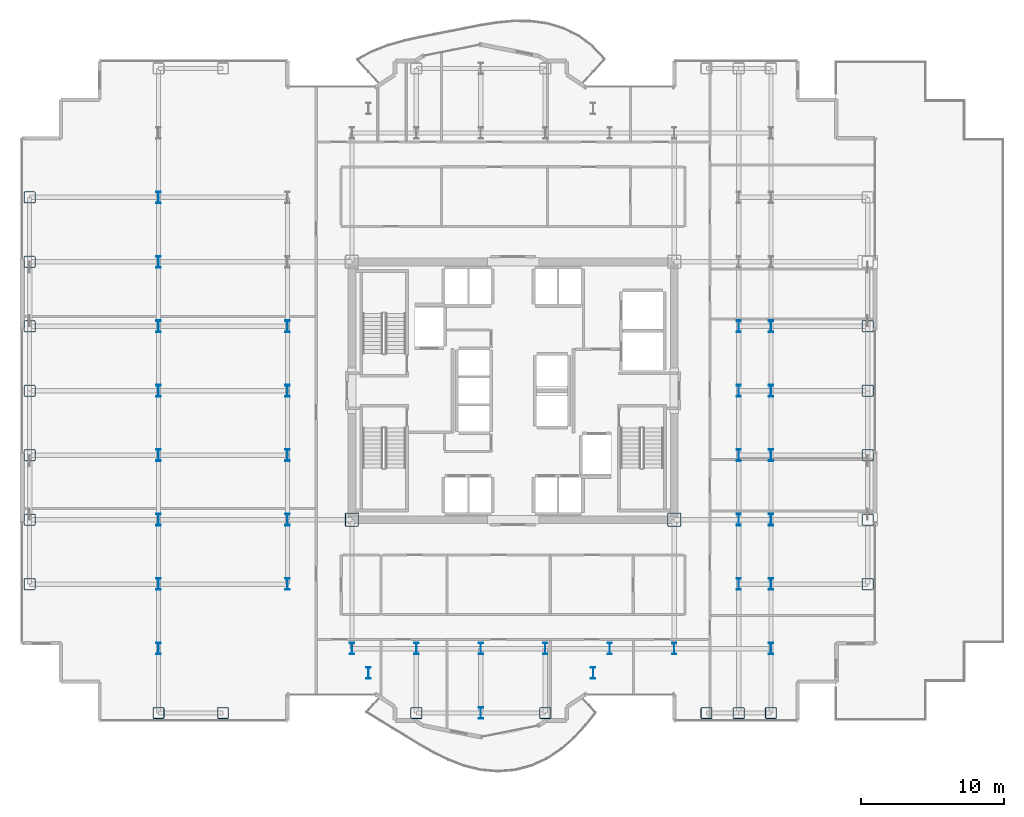
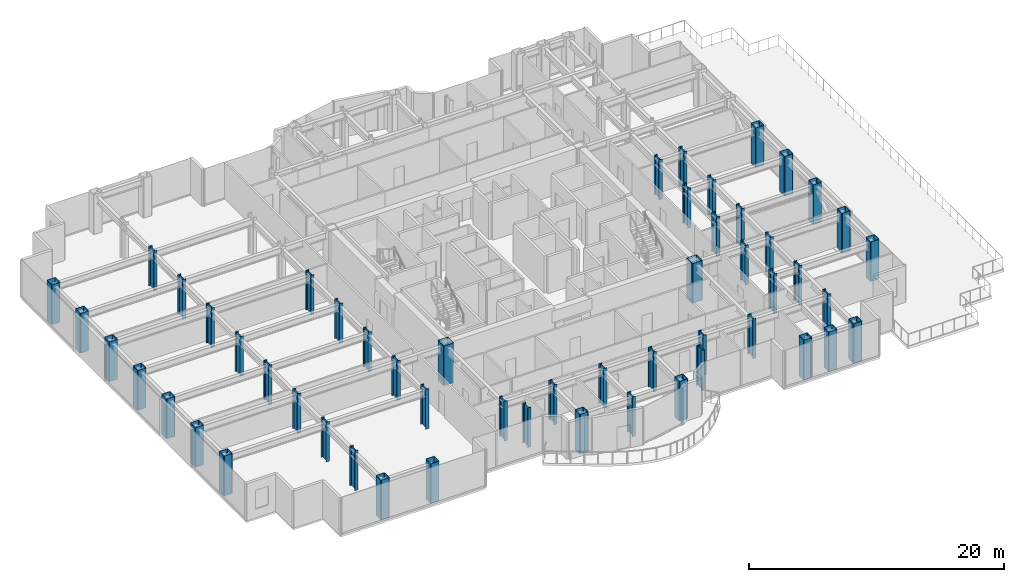
# One storey, part 1 of 27: 54 columns.
"""IFC4 building model written with IfcOpenShell, lengths in metres."""

from ifc_helpers import new_model, si_unit, direction, frame, origin, origin_2d, place, context, subcontext, project, spatial, hollow_rectangle, i_section, extrude, source, transform, mapped, material, material_profile, profile_set, type_object, element, save


model = new_model("IFC4")

# Units and contexts
model_context = context("Model", 3, precision=1e-05, world=origin(), true_north=direction((0.0, 1.0)))
body_context = subcontext(model_context, "Body", "Model", "MODEL_VIEW")
ifc_project = project(units=[si_unit("LENGTHUNIT", "METRE"), si_unit("AREAUNIT", "SQUARE_METRE"), si_unit("VOLUMEUNIT", "CUBIC_METRE"), si_unit("PLANEANGLEUNIT", "RADIAN"), si_unit("MASSUNIT", "GRAM", prefix="KILO")], contexts=[model_context])

# Site, building, storey
site_placement = place(None, origin())
site = spatial("IfcSite", under=ifc_project, at=site_placement, CompositionType="ELEMENT")
building_placement = place(site_placement, origin())
building = spatial("IfcBuilding", under=site, at=building_placement, Name="Nefas-Gora Pilgrimage Tower", CompositionType="ELEMENT")
storey_placement = place(building_placement, frame((0.0, 0.0, 148.800048828125)))
storey = spatial("IfcBuildingStorey", under=building, at=storey_placement, Name="L36", CompositionType="ELEMENT", Elevation=148.800048828125)

# Columns
ifc_material = material(Name="Steel S460", Category="steel")
ifc_material_profile_1 = material_profile(ifc_material, hollow_rectangle(XDim=0.949951171875, YDim=0.949951171875, WallThickness=0.044921875, InnerFilletRadius=0.044921875, OuterFilletRadius=0.090087890625, at=origin_2d()), Name="BOX 950x950x45")
ifc_profile_set_1 = profile_set([ifc_material_profile_1], Name="Steel S460")
column_type_1 = type_object("IfcColumnType", Name="COL-CORE-950", PredefinedType="COLUMN", material=ifc_profile_set_1)
shared_shape_1 = source(origin(), body_context, "Body", "SweptSolid", [
    extrude(hollow_rectangle(XDim=0.949951171875, YDim=0.949951171875, WallThickness=0.044921875, InnerFilletRadius=0.044921875, OuterFilletRadius=0.090087890625, at=origin_2d()), origin(), (0.0, 0.0, 1.0), 3.800048828125),
])
for number, where, z_axis, x_axis, name in (
    (1, (-11.25, -9.0, 0.0), (0.0, 0.0, 1.0), (1.0, 0.0, 0.0), "L36 Tower Column CC-Z1.29"),
    (2, (11.25, -9.0, 0.0), (0.0, 0.0, 1.0), (1.0, 0.0, 0.0), "L36 Tower Column CC-Z1.51"),
):
    element("IfcColumn", number, at=place(storey_placement, frame(where, z_axis=z_axis, x_axis=x_axis)), inside=storey, type_object=column_type_1, Name=name, PredefinedType="COLUMN", context=body_context, shape_type="MappedRepresentation", body=[
        mapped(shared_shape_1, transform((0.0, 0.0, 0.0), x_axis=(1.0, 0.0, 0.0), y_axis=(0.0, 1.0, 0.0), z_axis=(0.0, 0.0, 1.0), scale=1.0)),
    ])
ifc_material_profile_2 = material_profile(ifc_material, hollow_rectangle(XDim=0.800048828125, YDim=0.800048828125, WallThickness=0.0400390625, InnerFilletRadius=0.0400390625, OuterFilletRadius=0.080078125, at=origin_2d()), Name="BOX 800x800x40")
ifc_profile_set_2 = profile_set([ifc_material_profile_2], Name="Steel S460")
column_type_2 = type_object("IfcColumnType", Name="COL-TUBE-800", PredefinedType="COLUMN", material=ifc_profile_set_2)
shared_shape_2 = source(origin(), body_context, "Body", "SweptSolid", [
    extrude(hollow_rectangle(XDim=0.800048828125, YDim=0.800048828125, WallThickness=0.0400390625, InnerFilletRadius=0.0400390625, OuterFilletRadius=0.080078125, at=origin_2d()), origin(), (0.0, 0.0, 1.0), 3.800048828125),
])
for number, where, z_axis, x_axis, name in (
    (3, (-33.75, -13.5, 0.0), (0.0, 0.0, 1.0), (1.0, 0.0, 0.0), "L36 Tower Column C-Z2.1"),
    (4, (-33.75, -9.0, 0.0), (0.0, 0.0, 1.0), (1.0, 0.0, 0.0), "L36 Tower Column C-Z2.2"),
    (5, (-33.75, -4.5, 0.0), (0.0, 0.0, 1.0), (1.0, 0.0, 0.0), "L36 Tower Column C-Z2.3"),
    (6, (-33.75, 0.0, 0.0), (0.0, 0.0, 1.0), (1.0, 0.0, 0.0), "L36 Tower Column C-Z2.4"),
    (7, (-33.75, 4.5, 0.0), (0.0, 0.0, 1.0), (1.0, 0.0, 0.0), "L36 Tower Column C-Z2.5"),
    (8, (-33.75, 9.0, 0.0), (0.0, 0.0, 1.0), (1.0, 0.0, 0.0), "L36 Tower Column C-Z2.6"),
    (9, (-33.75, 13.5, 0.0), (0.0, 0.0, 1.0), (1.0, 0.0, 0.0), "L36 Tower Column C-Z2.7"),
    (10, (-24.75, -22.5, 0.0), (0.0, 0.0, 1.0), (1.0, 0.0, 0.0), "L36 Tower Column C-Z2.8"),
    (11, (-20.25, -22.5, 0.0), (0.0, 0.0, 1.0), (1.0, 0.0, 0.0), "L36 Tower Column C-Z2.19"),
    (12, (-6.75, -22.5, 0.0), (0.0, 0.0, 1.0), (1.0, 0.0, 0.0), "L36 Tower Column C-Z2.34"),
    (13, (2.25, -22.5, 0.0), (0.0, 0.0, 1.0), (1.0, 0.0, 0.0), "L36 Tower Column C-Z2.42"),
    (14, (13.5, -22.5, 0.0), (0.0, 0.0, 1.0), (1.0, 0.0, 0.0), "L36 Tower Column C-Z2.54"),
    (15, (15.75, -22.5, 0.0), (0.0, 0.0, 1.0), (1.0, 0.0, 0.0), "L36 Tower Column C-Z2.56"),
    (16, (18.0, -22.5, 0.0), (0.0, 0.0, 1.0), (1.0, 0.0, 0.0), "L36 Tower Column C-Z2.65"),
    (17, (24.75, -13.5, 0.0), (0.0, 0.0, 1.0), (1.0, 0.0, 0.0), "L36 Tower Column C-Z2.76"),
    (18, (24.75, -9.0, 0.0), (0.0, 0.0, 1.0), (1.0, 0.0, 0.0), "L36 Tower Column C-Z2.77"),
    (19, (24.75, -4.5, 0.0), (0.0, 0.0, 1.0), (1.0, 0.0, 0.0), "L36 Tower Column C-Z2.78"),
    (20, (24.75, 0.0, 0.0), (0.0, 0.0, 1.0), (1.0, 0.0, 0.0), "L36 Tower Column C-Z2.79"),
    (21, (24.75, 4.5, 0.0), (0.0, 0.0, 1.0), (1.0, 0.0, 0.0), "L36 Tower Column C-Z2.80"),
):
    element("IfcColumn", number, at=place(storey_placement, frame(where, z_axis=z_axis, x_axis=x_axis)), inside=storey, type_object=column_type_2, Name=name, PredefinedType="COLUMN", context=body_context, shape_type="MappedRepresentation", body=[
        mapped(shared_shape_2, transform((0.0, 0.0, 0.0), x_axis=(1.0, 0.0, 0.0), y_axis=(0.0, 1.0, 0.0), z_axis=(0.0, 0.0, 1.0), scale=1.0)),
    ])
ifc_material_profile_3 = material_profile(ifc_material, i_section(OverallWidth=0.302978515625, OverallDepth=0.81396484375, WebThickness=0.02099609375, FlangeThickness=0.0400390625, FilletRadius=0.030029296875, at=origin_2d()), Name="HEM 800")
ifc_profile_set_3 = profile_set([ifc_material_profile_3], Name="Steel S460")
column_type_3 = type_object("IfcColumnType", Name="COL-WEB-HEM800", PredefinedType="COLUMN", material=ifc_profile_set_3)
shared_shape_3 = source(origin(), body_context, "Body", "SweptSolid", [
    extrude(i_section(OverallWidth=0.302978515625, OverallDepth=0.81396484375, WebThickness=0.02099609375, FlangeThickness=0.0400390625, FilletRadius=0.030029296875, at=origin_2d()), origin(), (0.0, 0.0, 1.0), 3.800048828125),
])
for number, where, z_axis, x_axis, name in (
    (22, (-24.75, -18.0, 0.0), (0.0, 0.0, 1.0), (1.0, 0.0, 0.0), "L36 Tower Column CW-02.9"),
    (23, (-24.75, -13.5, 0.0), (0.0, 0.0, 1.0), (1.0, 0.0, 0.0), "L36 Tower Column CW-02.10"),
    (24, (-24.75, -9.0, 0.0), (0.0, 0.0, 1.0), (1.0, 0.0, 0.0), "L36 Tower Column CW-02.11"),
    (25, (-24.75, -4.5, 0.0), (0.0, 0.0, 1.0), (1.0, 0.0, 0.0), "L36 Tower Column CW-02.12"),
    (26, (-24.75, 0.0, 0.0), (0.0, 0.0, 1.0), (1.0, 0.0, 0.0), "L36 Tower Column CW-02.13"),
    (27, (-24.75, 4.5, 0.0), (0.0, 0.0, 1.0), (1.0, 0.0, 0.0), "L36 Tower Column CW-02.14"),
    (28, (-24.75, 9.0, 0.0), (0.0, 0.0, 1.0), (1.0, 0.0, 0.0), "L36 Tower Column CW-02.15"),
    (29, (-24.75, 13.5, 0.0), (0.0, 0.0, 1.0), (1.0, 0.0, 0.0), "L36 Tower Column CW-02.16"),
    (30, (-15.75, -13.5, 0.0), (0.0, 0.0, 1.0), (1.0, 0.0, 0.0), "L36 Tower Column CW-02.21"),
    (31, (-15.75, -9.0, 0.0), (0.0, 0.0, 1.0), (1.0, 0.0, 0.0), "L36 Tower Column CW-02.22"),
    (32, (-15.75, -4.5, 0.0), (0.0, 0.0, 1.0), (1.0, 0.0, 0.0), "L36 Tower Column CW-02.23"),
    (33, (-15.75, 0.0, 0.0), (0.0, 0.0, 1.0), (1.0, 0.0, 0.0), "L36 Tower Column CW-02.24"),
    (34, (-15.75, 4.5, 0.0), (0.0, 0.0, 1.0), (1.0, 0.0, 0.0), "L36 Tower Column CW-02.25"),
    (35, (-11.25, -18.0, 0.0), (0.0, 0.0, 1.0), (1.0, 0.0, 0.0), "L36 Tower Column CW-02.28"),
    (36, (-10.091064453125, -19.696044921875, 0.0), (0.0, 0.0, 1.0), (1.0, 0.0, 0.0), "L36 Tower Column CW-02.32"),
    (37, (-6.75, -18.0, 0.0), (0.0, 0.0, 1.0), (1.0, 0.0, 0.0), "L36 Tower Column CW-02.35"),
    (38, (-2.25, -22.5, 0.0), (0.0, 0.0, 1.0), (1.0, 0.0, 0.0), "L36 Tower Column CW-02.38"),
    (39, (-2.25, -18.0, 0.0), (0.0, 0.0, 1.0), (1.0, 0.0, 0.0), "L36 Tower Column CW-02.39"),
    (40, (2.25, -18.0, 0.0), (0.0, 0.0, 1.0), (1.0, 0.0, 0.0), "L36 Tower Column CW-02.43"),
    (41, (5.591064453125, -19.696044921875, 0.0), (0.0, 0.0, 1.0), (1.0, 0.0, 0.0), "L36 Tower Column CW-02.46"),
    (42, (6.75, -18.0, 0.0), (0.0, 0.0, 1.0), (1.0, 0.0, 0.0), "L36 Tower Column CW-02.48"),
    (43, (11.25, -18.0, 0.0), (0.0, 0.0, 1.0), (1.0, 0.0, 0.0), "L36 Tower Column CW-02.50"),
    (44, (15.75, -13.5, 0.0), (0.0, 0.0, 1.0), (1.0, 0.0, 0.0), "L36 Tower Column CW-02.57"),
    (45, (15.75, -9.0, 0.0), (0.0, 0.0, 1.0), (1.0, 0.0, 0.0), "L36 Tower Column CW-02.58"),
    (46, (15.75, -4.5, 0.0), (0.0, 0.0, 1.0), (1.0, 0.0, 0.0), "L36 Tower Column CW-02.59"),
    (47, (15.75, 0.0, 0.0), (0.0, 0.0, 1.0), (1.0, 0.0, 0.0), "L36 Tower Column CW-02.60"),
    (48, (15.75, 4.5, 0.0), (0.0, 0.0, 1.0), (1.0, 0.0, 0.0), "L36 Tower Column CW-02.61"),
    (49, (18.0, -18.0, 0.0), (0.0, 0.0, 1.0), (1.0, 0.0, 0.0), "L36 Tower Column CW-02.66"),
    (50, (18.0, -13.5, 0.0), (0.0, 0.0, 1.0), (1.0, 0.0, 0.0), "L36 Tower Column CW-02.67"),
    (51, (18.0, -9.0, 0.0), (0.0, 0.0, 1.0), (1.0, 0.0, 0.0), "L36 Tower Column CW-02.68"),
    (52, (18.0, -4.5, 0.0), (0.0, 0.0, 1.0), (1.0, 0.0, 0.0), "L36 Tower Column CW-02.69"),
    (53, (18.0, 0.0, 0.0), (0.0, 0.0, 1.0), (1.0, 0.0, 0.0), "L36 Tower Column CW-02.70"),
    (54, (18.0, 4.5, 0.0), (0.0, 0.0, 1.0), (1.0, 0.0, 0.0), "L36 Tower Column CW-02.71"),
):
    element("IfcColumn", number, at=place(storey_placement, frame(where, z_axis=z_axis, x_axis=x_axis)), inside=storey, type_object=column_type_3, Name=name, PredefinedType="COLUMN", context=body_context, shape_type="MappedRepresentation", body=[
        mapped(shared_shape_3, transform((0.0, 0.0, 0.0), x_axis=(1.0, 0.0, 0.0), y_axis=(0.0, 1.0, 0.0), z_axis=(0.0, 0.0, 1.0), scale=1.0)),
    ])

save(model, "model.ifc")
